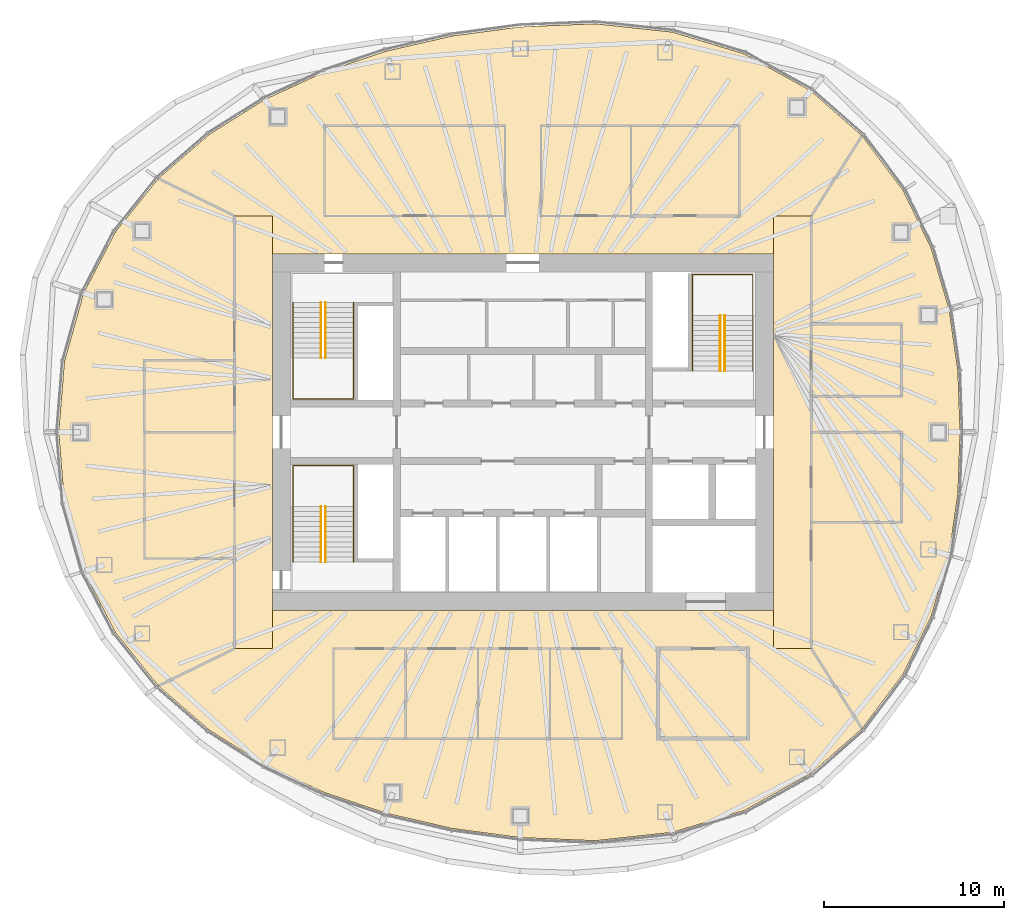
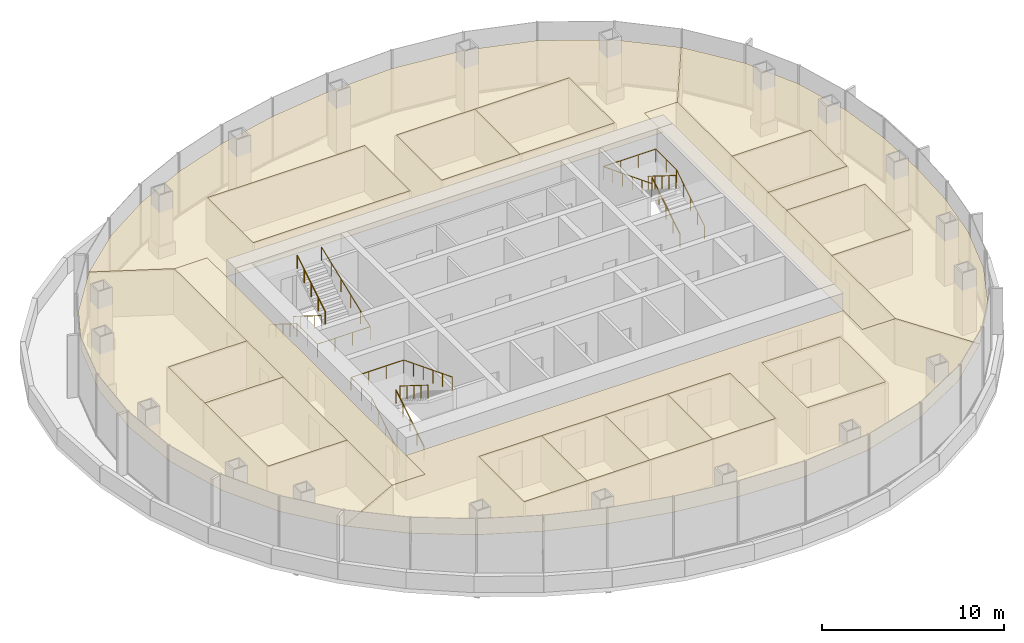
# One storey, part 13 of 13: 18 coverings, 9 railings.
"""IFC4 building model written with IfcOpenShell, lengths in metres."""

from ifc_helpers import new_model, si_unit, direction, frame, origin, origin_2d, place, context, subcontext, project, spatial, polyline, circle, outline, extrude, material, layer, layer_set, type_object, element, save


model = new_model("IFC4")

# Units and contexts
model_context = context("Model", 3, precision=1e-05, world=origin(), true_north=direction((0.0, 1.0)))
body_context = subcontext(model_context, "Body", "Model", "MODEL_VIEW")
ifc_project = project(units=[si_unit("LENGTHUNIT", "METRE"), si_unit("AREAUNIT", "SQUARE_METRE"), si_unit("VOLUMEUNIT", "CUBIC_METRE"), si_unit("PLANEANGLEUNIT", "RADIAN"), si_unit("MASSUNIT", "GRAM", prefix="KILO")], contexts=[model_context])

# Site, building, storey
site_placement = place(None, origin())
site = spatial("IfcSite", under=ifc_project, at=site_placement, CompositionType="ELEMENT")
building_placement = place(site_placement, origin())
building = spatial("IfcBuilding", under=site, at=building_placement, Name="Ghaith Harvest Tower", CompositionType="ELEMENT")
storey_placement = place(building_placement, frame((0.0, 0.0, 271.199951171875)))
storey = spatial("IfcBuildingStorey", under=building, at=storey_placement, Name="L60", CompositionType="ELEMENT", Elevation=271.199951171875)

# Coverings
ifc_material_1 = material(Name="Mineral fibre ceiling tile", Category="gypsum")
ifc_layer = layer(ifc_material_1, 0.02490234375)
ifc_layer_set = layer_set([ifc_layer], Name="CEILING C2")
covering_type = type_object("IfcCoveringType", Name="CEILING C2", PredefinedType="CEILING", material=ifc_layer_set)
covering_1_placement = place(storey_placement, frame((0.0, 0.0, 3.0)))
element("IfcCovering", 1, at=covering_1_placement, inside=storey, type_object=covering_type, Name="Ceiling L60-01", PredefinedType="CEILING", context=body_context, shape_type="SweptSolid", body=[
    extrude(outline(polyline([(-11.0, 12.0), (-1.0, 12.0), (-1.0, 17.0), (-11.0, 17.0), (-11.0, 12.0)])), origin(), (0.0, 0.0, 1.0), 0.025146484375),
])
covering_2_placement = place(storey_placement, frame((0.0, 0.0, 3.0)))
element("IfcCovering", 2, at=covering_2_placement, inside=storey, type_object=covering_type, Name="Ceiling L60-02", PredefinedType="CEILING", context=body_context, shape_type="SweptSolid", body=[
    extrude(outline(polyline([(1.0, 12.0), (6.0, 12.0), (6.0, 17.0), (1.0, 17.0), (1.0, 12.0)])), origin(), (0.0, 0.0, 1.0), 0.025146484375),
])
covering_3_placement = place(storey_placement, frame((0.0, 0.0, 3.0)))
element("IfcCovering", 3, at=covering_3_placement, inside=storey, type_object=covering_type, Name="Ceiling L60-03", PredefinedType="CEILING", context=body_context, shape_type="SweptSolid", body=[
    extrude(outline(polyline([(6.0, 12.0), (12.0, 12.0), (12.0, 17.0), (6.0, 17.0), (6.0, 12.0)])), origin(), (0.0, 0.0, 1.0), 0.025146484375),
])
covering_4_placement = place(storey_placement, frame((0.0, 0.0, 3.0)))
element("IfcCovering", 4, at=covering_4_placement, inside=storey, type_object=covering_type, Name="Ceiling L60-04", PredefinedType="CEILING", context=body_context, shape_type="SweptSolid", body=[
    extrude(outline(polyline([(-10.5, -17.0), (-6.5, -17.0), (-6.5, -12.0), (-10.5, -12.0), (-10.5, -17.0)])), origin(), (0.0, 0.0, 1.0), 0.025146484375),
])
covering_5_placement = place(storey_placement, frame((0.0, 0.0, 3.0)))
element("IfcCovering", 5, at=covering_5_placement, inside=storey, type_object=covering_type, Name="Ceiling L60-05", PredefinedType="CEILING", context=body_context, shape_type="SweptSolid", body=[
    extrude(outline(polyline([(-6.5, -17.0), (-2.5, -17.0), (-2.5, -12.0), (-6.5, -12.0), (-6.5, -17.0)])), origin(), (0.0, 0.0, 1.0), 0.025146484375),
])
covering_6_placement = place(storey_placement, frame((0.0, 0.0, 3.0)))
element("IfcCovering", 6, at=covering_6_placement, inside=storey, type_object=covering_type, Name="Ceiling L60-06", PredefinedType="CEILING", context=body_context, shape_type="SweptSolid", body=[
    extrude(outline(polyline([(-2.5, -17.0), (1.5, -17.0), (1.5, -12.0), (-2.5, -12.0), (-2.5, -17.0)])), origin(), (0.0, 0.0, 1.0), 0.025146484375),
])
covering_7_placement = place(storey_placement, frame((0.0, 0.0, 3.0)))
element("IfcCovering", 7, at=covering_7_placement, inside=storey, type_object=covering_type, Name="Ceiling L60-07", PredefinedType="CEILING", context=body_context, shape_type="SweptSolid", body=[
    extrude(outline(polyline([(1.5, -17.0), (5.5, -17.0), (5.5, -12.0), (1.5, -12.0), (1.5, -17.0)])), origin(), (0.0, 0.0, 1.0), 0.025146484375),
])
covering_8_placement = place(storey_placement, frame((0.0, 0.0, 3.0)))
element("IfcCovering", 8, at=covering_8_placement, inside=storey, type_object=covering_type, Name="Ceiling L60-08", PredefinedType="CEILING", context=body_context, shape_type="SweptSolid", body=[
    extrude(outline(polyline([(7.5, -17.0), (12.5, -17.0), (12.5, -12.0), (7.5, -12.0), (7.5, -17.0)])), origin(), (0.0, 0.0, 1.0), 0.025146484375),
])
covering_9_placement = place(storey_placement, frame((0.0, 0.0, 3.0)))
element("IfcCovering", 9, at=covering_9_placement, inside=storey, type_object=covering_type, Name="Ceiling L60-09", PredefinedType="CEILING", context=body_context, shape_type="SweptSolid", body=[
    extrude(outline(polyline([(-21.0, -7.0), (-16.0, -7.0), (-16.0, 0.0), (-21.0, 0.0), (-21.0, -7.0)])), origin(), (0.0, 0.0, 1.0), 0.025146484375),
])
covering_10_placement = place(storey_placement, frame((0.0, 0.0, 3.0)))
element("IfcCovering", 10, at=covering_10_placement, inside=storey, type_object=covering_type, Name="Ceiling L60-10", PredefinedType="CEILING", context=body_context, shape_type="SweptSolid", body=[
    extrude(outline(polyline([(-21.0, 0.0), (-16.0, 0.0), (-16.0, 4.0), (-21.0, 4.0), (-21.0, 0.0)])), origin(), (0.0, 0.0, 1.0), 0.025146484375),
])
covering_11_placement = place(storey_placement, frame((0.0, 0.0, 3.0)))
element("IfcCovering", 11, at=covering_11_placement, inside=storey, type_object=covering_type, Name="Ceiling L60-11", PredefinedType="CEILING", context=body_context, shape_type="SweptSolid", body=[
    extrude(outline(polyline([(16.0, -5.0), (21.0, -5.0), (21.0, 0.0), (16.0, 0.0), (16.0, -5.0)])), origin(), (0.0, 0.0, 1.0), 0.025146484375),
])
covering_12_placement = place(storey_placement, frame((0.0, 0.0, 3.0)))
element("IfcCovering", 12, at=covering_12_placement, inside=storey, type_object=covering_type, Name="Ceiling L60-12", PredefinedType="CEILING", context=body_context, shape_type="SweptSolid", body=[
    extrude(outline(polyline([(16.0, 2.0), (21.0, 2.0), (21.0, 6.0), (16.0, 6.0), (16.0, 2.0)])), origin(), (0.0, 0.0, 1.0), 0.025146484375),
])
covering_13_placement = place(storey_placement, frame((0.0, 0.0, 3.0)))
element("IfcCovering", 13, at=covering_13_placement, inside=storey, type_object=covering_type, Name="Ceiling L60-C1", PredefinedType="CEILING", context=body_context, shape_type="SweptSolid", body=[
    extrude(outline(polyline([(-13.89990234375, 12.0), (-13.89990234375, -12.0), (-16.0, -12.0), (-16.0, 12.0), (-13.89990234375, 12.0)])), origin(), (0.0, 0.0, 1.0), 0.025146484375),
])
covering_14_placement = place(storey_placement, frame((0.0, 0.0, 3.0)))
element("IfcCovering", 14, at=covering_14_placement, inside=storey, type_object=covering_type, Name="Ceiling L60-C2", PredefinedType="CEILING", context=body_context, shape_type="SweptSolid", body=[
    extrude(outline(polyline([(13.89990234375, -12.0), (13.89990234375, 12.0), (16.0, 12.0), (16.0, -12.0), (13.89990234375, -12.0)])), origin(), (0.0, 0.0, 1.0), 0.025146484375),
])
covering_15_placement = place(storey_placement, frame((0.0, 0.0, 3.0)))
element("IfcCovering", 15, at=covering_15_placement, inside=storey, type_object=covering_type, Name="Ceiling L60-N1", PredefinedType="CEILING", context=body_context, shape_type="SweptSolid", body=[
    extrude(outline(polyline([(-17.40771484375, 16.518310546875), (-14.331298828125, 18.452880859375), (-11.009521484375, 19.98779296875), (-7.6298828125, 21.12548828125), (-3.92529296875, 21.98046875), (-0.15380859375, 22.486083984375), (4.016845703125, 22.658447265625), (8.2978515625, 22.1962890625), (12.273681640625, 20.98828125), (15.971923828125, 18.940185546875), (18.810791015625, 16.4482421875), (16.0, 12.0), (13.89990234375, 12.0), (13.89990234375, 9.89990234375), (-13.89990234375, 9.89990234375), (-13.89990234375, 12.0), (-16.0, 12.0), (-20.225830078125, 14.0732421875), (-17.40771484375, 16.518310546875)]), holes=[polyline([(-1.0, 17.0), (-11.0, 17.0), (-11.0, 12.0), (-1.0, 12.0), (-1.0, 17.0)]), polyline([(12.0, 17.0), (1.0, 17.0), (1.0, 12.0), (12.0, 12.0), (12.0, 17.0)])]), origin(), (0.0, 0.0, 1.0), 0.025146484375),
])
covering_16_placement = place(storey_placement, frame((0.0, 0.0, 3.0)))
element("IfcCovering", 16, at=covering_16_placement, inside=storey, type_object=covering_type, Name="Ceiling L60-E1", PredefinedType="CEILING", context=body_context, shape_type="SweptSolid", body=[
    extrude(outline(polyline([(21.087890625, 13.42041015625), (22.644775390625, 10.222900390625), (23.6376953125, 6.831787109375), (24.129150390625, 3.4169921875), (24.25, 0.0), (24.129150390625, -3.4169921875), (23.6376953125, -6.831787109375), (22.644775390625, -10.222900390625), (21.087890625, -13.42041015625), (18.810791015625, -16.4482421875), (16.0, -12.0), (16.0, -5.0), (21.0, -5.0), (21.0, 0.0), (16.0, 0.0), (16.0, 2.0), (21.0, 2.0), (21.0, 6.0), (16.0, 6.0), (16.0, 12.0), (18.810791015625, 16.4482421875), (21.087890625, 13.42041015625)])), origin(), (0.0, 0.0, 1.0), 0.025146484375),
])
covering_17_placement = place(storey_placement, frame((0.0, 0.0, 3.0)))
element("IfcCovering", 17, at=covering_17_placement, inside=storey, type_object=covering_type, Name="Ceiling L60-S1", PredefinedType="CEILING", context=body_context, shape_type="SweptSolid", body=[
    extrude(outline(polyline([(-17.40771484375, -16.518310546875), (-20.225830078125, -14.0732421875), (-16.0, -12.0), (-13.89990234375, -12.0), (-13.89990234375, -9.89990234375), (13.89990234375, -9.89990234375), (13.89990234375, -12.0), (16.0, -12.0), (18.810791015625, -16.4482421875), (15.971923828125, -18.940185546875), (12.273681640625, -20.98828125), (8.2978515625, -22.1962890625), (4.016845703125, -22.658447265625), (-0.15380859375, -22.486083984375), (-3.92529296875, -21.98046875), (-7.6298828125, -21.12548828125), (-11.009521484375, -19.98779296875), (-14.331298828125, -18.452880859375), (-17.40771484375, -16.518310546875)]), holes=[polyline([(5.5, -12.0), (-10.5, -12.0), (-10.5, -17.0), (5.5, -17.0), (5.5, -12.0)]), polyline([(7.5, -12.0), (7.5, -17.0), (12.5, -17.0), (12.5, -12.0), (7.5, -12.0)])]), origin(), (0.0, 0.0, 1.0), 0.025146484375),
])
covering_18_placement = place(storey_placement, frame((0.0, 0.0, 3.0)))
element("IfcCovering", 18, at=covering_18_placement, inside=storey, type_object=covering_type, Name="Ceiling L60-W1", PredefinedType="CEILING", context=body_context, shape_type="SweptSolid", body=[
    extrude(outline(polyline([(-22.5986328125, -11.12353515625), (-24.368408203125, -7.722900390625), (-25.43310546875, -3.93359375), (-25.75, 0.0), (-25.43310546875, 3.93359375), (-24.368408203125, 7.722900390625), (-22.5986328125, 11.12353515625), (-20.225830078125, 14.0732421875), (-16.0, 12.0), (-16.0, 4.0), (-21.0, 4.0), (-21.0, -7.0), (-16.0, -7.0), (-16.0, -12.0), (-20.225830078125, -14.0732421875), (-22.5986328125, -11.12353515625)])), origin(), (0.0, 0.0, 1.0), 0.025146484375),
])

# Railings
ifc_material_2 = material(Name="Steel, black powder-coated", Category="steel")
railing_type = type_object("IfcRailingType", Name="HANDRAIL HR1", PredefinedType="HANDRAIL", material=ifc_material_2)
railing_1_placement = place(storey_placement, frame((-11.199951171875, 7.199951171875, 0.175048828125)))
element("IfcRailing", 19, at=railing_1_placement, inside=storey, type_object=railing_type, Name="Handrail HR1 stair ST1 L60 flight 1 inner", PredefinedType="HANDRAIL", context=body_context, shape_type="SweptSolid", body=[
    extrude(circle(Radius=0.02392578125, at=origin_2d()), frame((0.0, 0.0, 0.8759765625), z_axis=(0.0, -0.847979421464, 0.530029150871), x_axis=(1.0, 0.0, 0.0)), (0.0, 0.0, 1.0), 3.632080078125),
    extrude(circle(Radius=0.02099609375, at=origin_2d()), origin(), (0.0, 0.0, 1.0), 0.851806640625),
    extrude(circle(Radius=0.02099609375, at=origin_2d()), frame((0.0, -0.77001953125, 0.481201171875)), (0.0, 0.0, 1.0), 0.851806640625),
    extrude(circle(Radius=0.02099609375, at=origin_2d()), frame((0.0, -1.5400390625, 0.96240234375)), (0.0, 0.0, 1.0), 0.851806640625),
    extrude(circle(Radius=0.02099609375, at=origin_2d()), frame((0.0, -2.309814453125, 1.44384765625)), (0.0, 0.0, 1.0), 0.851806640625),
    extrude(circle(Radius=0.02099609375, at=origin_2d()), frame((0.0, -3.079833984375, 1.925048828125)), (0.0, 0.0, 1.0), 0.851806640625),
])
railing_2_placement = place(storey_placement, frame((-10.949951171875, 4.1201171875, 2.275146484375)))
element("IfcRailing", 20, at=railing_2_placement, inside=storey, type_object=railing_type, Name="Handrail HR1 stair ST1 L60 flight 2 inner", PredefinedType="HANDRAIL", context=body_context, shape_type="SweptSolid", body=[
    extrude(circle(Radius=0.02392578125, at=origin_2d()), frame((0.0, 0.0, 0.8759765625), z_axis=(0.0, 0.848009633417, 0.529980812513), x_axis=(-1.0, 0.0, 0.0)), (0.0, 0.0, 1.0), 3.6318359375),
    extrude(circle(Radius=0.02099609375, at=origin_2d()), origin(), (0.0, 0.0, 1.0), 0.851806640625),
    extrude(circle(Radius=0.02099609375, at=origin_2d()), frame((0.0, 0.77001953125, 0.481201171875)), (0.0, 0.0, 1.0), 0.851806640625),
    extrude(circle(Radius=0.02099609375, at=origin_2d()), frame((0.0, 1.5400390625, 0.96240234375)), (0.0, 0.0, 1.0), 0.851806640625),
    extrude(circle(Radius=0.02099609375, at=origin_2d()), frame((0.0, 2.309814453125, 1.443603515625)), (0.0, 0.0, 1.0), 0.851806640625),
    extrude(circle(Radius=0.02099609375, at=origin_2d()), frame((0.0, 3.079833984375, 1.9248046875)), (0.0, 0.0, 1.0), 0.851806640625),
])
railing_3_placement = place(storey_placement, frame((-12.75, 7.199951171875, 0.175048828125)))
element("IfcRailing", 21, at=railing_3_placement, inside=storey, type_object=railing_type, Name="Handrail HR1 stair ST1 L60 wall side", PredefinedType="HANDRAIL", context=body_context, shape_type="SweptSolid", body=[
    extrude(circle(Radius=0.02392578125, at=origin_2d()), frame((0.0, 0.0, 0.8759765625), z_axis=(0.0, -0.847979421464, 0.530029150871), x_axis=(1.0, 0.0, 0.0)), (0.0, 0.0, 1.0), 3.632080078125),
    extrude(circle(Radius=0.02392578125, at=origin_2d()), frame((0.0, -3.079833984375, 2.80078125), z_axis=(0.0, -1.0, 0.0), x_axis=(1.0, 0.0, 0.0)), (0.0, 0.0, 1.0), 2.27001953125),
    extrude(circle(Radius=0.02392578125, at=origin_2d()), frame((0.0, -5.349853515625, 2.80078125), z_axis=(1.0, 0.0, 0.0), x_axis=(0.0, 1.0, 0.0)), (0.0, 0.0, 1.0), 3.35009765625),
    extrude(circle(Radius=0.02392578125, at=origin_2d()), frame((3.35009765625, -5.349853515625, 2.80078125), z_axis=(0.0, 0.930862461605, 0.365369781968), x_axis=(-1.0, 0.0, 0.0)), (0.0, 0.0, 1.0), 5.747314453125),
    extrude(circle(Radius=0.02099609375, at=origin_2d()), origin(), (0.0, 0.0, 1.0), 0.851806640625),
    extrude(circle(Radius=0.02099609375, at=origin_2d()), frame((0.0, -0.77001953125, 0.481201171875)), (0.0, 0.0, 1.0), 0.851806640625),
    extrude(circle(Radius=0.02099609375, at=origin_2d()), frame((0.0, -1.5400390625, 0.96240234375)), (0.0, 0.0, 1.0), 0.851806640625),
    extrude(circle(Radius=0.02099609375, at=origin_2d()), frame((0.0, -2.309814453125, 1.44384765625)), (0.0, 0.0, 1.0), 0.851806640625),
    extrude(circle(Radius=0.02099609375, at=origin_2d()), frame((0.0, -3.079833984375, 1.925048828125)), (0.0, 0.0, 1.0), 0.851806640625),
    extrude(circle(Radius=0.02099609375, at=origin_2d()), frame((0.0, -4.21484375, 1.925048828125)), (0.0, 0.0, 1.0), 0.851806640625),
    extrude(circle(Radius=0.02099609375, at=origin_2d()), frame((0.0, -5.349853515625, 1.925048828125)), (0.0, 0.0, 1.0), 0.851806640625),
    extrude(circle(Radius=0.02099609375, at=origin_2d()), frame((1.11669921875, -5.349853515625, 1.925048828125)), (0.0, 0.0, 1.0), 0.851806640625),
    extrude(circle(Radius=0.02099609375, at=origin_2d()), frame((2.2333984375, -5.349853515625, 1.925048828125)), (0.0, 0.0, 1.0), 0.851806640625),
    extrude(circle(Radius=0.02099609375, at=origin_2d()), frame((3.35009765625, -5.349853515625, 1.925048828125)), (0.0, 0.0, 1.0), 0.851806640625),
    extrude(circle(Radius=0.02099609375, at=origin_2d()), frame((3.35009765625, -4.27978515625, 2.344970703125)), (0.0, 0.0, 1.0), 0.851806640625),
    extrude(circle(Radius=0.02099609375, at=origin_2d()), frame((3.35009765625, -3.2099609375, 2.764892578125)), (0.0, 0.0, 1.0), 0.851806640625),
    extrude(circle(Radius=0.02099609375, at=origin_2d()), frame((3.35009765625, -2.139892578125, 3.18505859375)), (0.0, 0.0, 1.0), 0.851806640625),
    extrude(circle(Radius=0.02099609375, at=origin_2d()), frame((3.35009765625, -1.070068359375, 3.60498046875)), (0.0, 0.0, 1.0), 0.851806640625),
    extrude(circle(Radius=0.02099609375, at=origin_2d()), frame((3.35009765625, 0.0, 4.02490234375)), (0.0, 0.0, 1.0), 0.851806640625),
])
railing_4_placement = place(storey_placement, frame((-11.199951171875, -7.199951171875, 0.175048828125)))
element("IfcRailing", 22, at=railing_4_placement, inside=storey, type_object=railing_type, Name="Handrail HR1 stair ST3 L60 flight 1 inner", PredefinedType="HANDRAIL", context=body_context, shape_type="SweptSolid", body=[
    extrude(circle(Radius=0.02392578125, at=origin_2d()), frame((0.0, 0.0, 0.8759765625), z_axis=(0.0, 0.847979421464, 0.530029150871), x_axis=(-1.0, 0.0, 0.0)), (0.0, 0.0, 1.0), 3.632080078125),
    extrude(circle(Radius=0.02099609375, at=origin_2d()), origin(), (0.0, 0.0, 1.0), 0.851806640625),
    extrude(circle(Radius=0.02099609375, at=origin_2d()), frame((0.0, 0.77001953125, 0.481201171875)), (0.0, 0.0, 1.0), 0.851806640625),
    extrude(circle(Radius=0.02099609375, at=origin_2d()), frame((0.0, 1.5400390625, 0.96240234375)), (0.0, 0.0, 1.0), 0.851806640625),
    extrude(circle(Radius=0.02099609375, at=origin_2d()), frame((0.0, 2.309814453125, 1.44384765625)), (0.0, 0.0, 1.0), 0.851806640625),
    extrude(circle(Radius=0.02099609375, at=origin_2d()), frame((0.0, 3.079833984375, 1.925048828125)), (0.0, 0.0, 1.0), 0.851806640625),
])
railing_5_placement = place(storey_placement, frame((-10.949951171875, -4.1201171875, 2.275146484375)))
element("IfcRailing", 23, at=railing_5_placement, inside=storey, type_object=railing_type, Name="Handrail HR1 stair ST3 L60 flight 2 inner", PredefinedType="HANDRAIL", context=body_context, shape_type="SweptSolid", body=[
    extrude(circle(Radius=0.02392578125, at=origin_2d()), frame((0.0, 0.0, 0.8759765625), z_axis=(0.0, -0.848009633417, 0.529980812513), x_axis=(1.0, 0.0, 0.0)), (0.0, 0.0, 1.0), 3.6318359375),
    extrude(circle(Radius=0.02099609375, at=origin_2d()), origin(), (0.0, 0.0, 1.0), 0.851806640625),
    extrude(circle(Radius=0.02099609375, at=origin_2d()), frame((0.0, -0.77001953125, 0.481201171875)), (0.0, 0.0, 1.0), 0.851806640625),
    extrude(circle(Radius=0.02099609375, at=origin_2d()), frame((0.0, -1.5400390625, 0.96240234375)), (0.0, 0.0, 1.0), 0.851806640625),
    extrude(circle(Radius=0.02099609375, at=origin_2d()), frame((0.0, -2.309814453125, 1.443603515625)), (0.0, 0.0, 1.0), 0.851806640625),
    extrude(circle(Radius=0.02099609375, at=origin_2d()), frame((0.0, -3.079833984375, 1.9248046875)), (0.0, 0.0, 1.0), 0.851806640625),
])
railing_6_placement = place(storey_placement, frame((-12.75, -7.199951171875, 0.175048828125)))
element("IfcRailing", 24, at=railing_6_placement, inside=storey, type_object=railing_type, Name="Handrail HR1 stair ST3 L60 wall side", PredefinedType="HANDRAIL", context=body_context, shape_type="SweptSolid", body=[
    extrude(circle(Radius=0.02392578125, at=origin_2d()), frame((0.0, 0.0, 0.8759765625), z_axis=(0.0, 0.847979421464, 0.530029150871), x_axis=(-1.0, 0.0, 0.0)), (0.0, 0.0, 1.0), 3.632080078125),
    extrude(circle(Radius=0.02392578125, at=origin_2d()), frame((0.0, 3.079833984375, 2.80078125), z_axis=(0.0, 1.0, 0.0), x_axis=(-1.0, 0.0, 0.0)), (0.0, 0.0, 1.0), 2.27001953125),
    extrude(circle(Radius=0.02392578125, at=origin_2d()), frame((0.0, 5.349853515625, 2.80078125), z_axis=(1.0, 0.0, 0.0), x_axis=(0.0, 1.0, 0.0)), (0.0, 0.0, 1.0), 3.35009765625),
    extrude(circle(Radius=0.02392578125, at=origin_2d()), frame((3.35009765625, 5.349853515625, 2.80078125), z_axis=(0.0, -0.930862461605, 0.365369781968), x_axis=(1.0, 0.0, 0.0)), (0.0, 0.0, 1.0), 5.747314453125),
    extrude(circle(Radius=0.02099609375, at=origin_2d()), origin(), (0.0, 0.0, 1.0), 0.851806640625),
    extrude(circle(Radius=0.02099609375, at=origin_2d()), frame((0.0, 0.77001953125, 0.481201171875)), (0.0, 0.0, 1.0), 0.851806640625),
    extrude(circle(Radius=0.02099609375, at=origin_2d()), frame((0.0, 1.5400390625, 0.96240234375)), (0.0, 0.0, 1.0), 0.851806640625),
    extrude(circle(Radius=0.02099609375, at=origin_2d()), frame((0.0, 2.309814453125, 1.44384765625)), (0.0, 0.0, 1.0), 0.851806640625),
    extrude(circle(Radius=0.02099609375, at=origin_2d()), frame((0.0, 3.079833984375, 1.925048828125)), (0.0, 0.0, 1.0), 0.851806640625),
    extrude(circle(Radius=0.02099609375, at=origin_2d()), frame((0.0, 4.21484375, 1.925048828125)), (0.0, 0.0, 1.0), 0.851806640625),
    extrude(circle(Radius=0.02099609375, at=origin_2d()), frame((0.0, 5.349853515625, 1.925048828125)), (0.0, 0.0, 1.0), 0.851806640625),
    extrude(circle(Radius=0.02099609375, at=origin_2d()), frame((1.11669921875, 5.349853515625, 1.925048828125)), (0.0, 0.0, 1.0), 0.851806640625),
    extrude(circle(Radius=0.02099609375, at=origin_2d()), frame((2.2333984375, 5.349853515625, 1.925048828125)), (0.0, 0.0, 1.0), 0.851806640625),
    extrude(circle(Radius=0.02099609375, at=origin_2d()), frame((3.35009765625, 5.349853515625, 1.925048828125)), (0.0, 0.0, 1.0), 0.851806640625),
    extrude(circle(Radius=0.02099609375, at=origin_2d()), frame((3.35009765625, 4.27978515625, 2.344970703125)), (0.0, 0.0, 1.0), 0.851806640625),
    extrude(circle(Radius=0.02099609375, at=origin_2d()), frame((3.35009765625, 3.2099609375, 2.764892578125)), (0.0, 0.0, 1.0), 0.851806640625),
    extrude(circle(Radius=0.02099609375, at=origin_2d()), frame((3.35009765625, 2.139892578125, 3.18505859375)), (0.0, 0.0, 1.0), 0.851806640625),
    extrude(circle(Radius=0.02099609375, at=origin_2d()), frame((3.35009765625, 1.070068359375, 3.60498046875)), (0.0, 0.0, 1.0), 0.851806640625),
    extrude(circle(Radius=0.02099609375, at=origin_2d()), frame((3.35009765625, 0.0, 4.02490234375)), (0.0, 0.0, 1.0), 0.851806640625),
])
railing_7_placement = place(storey_placement, frame((11.199951171875, 3.39990234375, 0.175048828125)))
element("IfcRailing", 25, at=railing_7_placement, inside=storey, type_object=railing_type, Name="Handrail HR1 stair ST2 L60 flight 1 inner", PredefinedType="HANDRAIL", context=body_context, shape_type="SweptSolid", body=[
    extrude(circle(Radius=0.02392578125, at=origin_2d()), frame((0.0, 0.0, 0.8759765625), z_axis=(0.0, 0.847998304005, 0.529998940003), x_axis=(-1.0, 0.0, 0.0)), (0.0, 0.0, 1.0), 3.632080078125),
    extrude(circle(Radius=0.02099609375, at=origin_2d()), origin(), (0.0, 0.0, 1.0), 0.851806640625),
    extrude(circle(Radius=0.02099609375, at=origin_2d()), frame((0.0, 0.77001953125, 0.481201171875)), (0.0, 0.0, 1.0), 0.851806640625),
    extrude(circle(Radius=0.02099609375, at=origin_2d()), frame((0.0, 1.5400390625, 0.96240234375)), (0.0, 0.0, 1.0), 0.851806640625),
    extrude(circle(Radius=0.02099609375, at=origin_2d()), frame((0.0, 2.31005859375, 1.44384765625)), (0.0, 0.0, 1.0), 0.851806640625),
    extrude(circle(Radius=0.02099609375, at=origin_2d()), frame((0.0, 3.080078125, 1.925048828125)), (0.0, 0.0, 1.0), 0.851806640625),
])
railing_8_placement = place(storey_placement, frame((10.949951171875, 6.47998046875, 2.275146484375)))
element("IfcRailing", 26, at=railing_8_placement, inside=storey, type_object=railing_type, Name="Handrail HR1 stair ST2 L60 flight 2 inner", PredefinedType="HANDRAIL", context=body_context, shape_type="SweptSolid", body=[
    extrude(circle(Radius=0.02392578125, at=origin_2d()), frame((0.0, 0.0, 0.8759765625), z_axis=(0.0, -0.848028513186, 0.529950602248), x_axis=(1.0, 0.0, 0.0)), (0.0, 0.0, 1.0), 3.632080078125),
    extrude(circle(Radius=0.02099609375, at=origin_2d()), origin(), (0.0, 0.0, 1.0), 0.851806640625),
    extrude(circle(Radius=0.02099609375, at=origin_2d()), frame((0.0, -0.77001953125, 0.481201171875)), (0.0, 0.0, 1.0), 0.851806640625),
    extrude(circle(Radius=0.02099609375, at=origin_2d()), frame((0.0, -1.5400390625, 0.96240234375)), (0.0, 0.0, 1.0), 0.851806640625),
    extrude(circle(Radius=0.02099609375, at=origin_2d()), frame((0.0, -2.31005859375, 1.443603515625)), (0.0, 0.0, 1.0), 0.851806640625),
    extrude(circle(Radius=0.02099609375, at=origin_2d()), frame((0.0, -3.080078125, 1.9248046875)), (0.0, 0.0, 1.0), 0.851806640625),
])
railing_9_placement = place(storey_placement, frame((12.75, 3.39990234375, 0.175048828125)))
element("IfcRailing", 27, at=railing_9_placement, inside=storey, type_object=railing_type, Name="Handrail HR1 stair ST2 L60 wall side", PredefinedType="HANDRAIL", context=body_context, shape_type="SweptSolid", body=[
    extrude(circle(Radius=0.02392578125, at=origin_2d()), frame((0.0, 0.0, 0.8759765625), z_axis=(0.0, 0.847998304005, 0.529998940003), x_axis=(-1.0, 0.0, 0.0)), (0.0, 0.0, 1.0), 3.632080078125),
    extrude(circle(Radius=0.02392578125, at=origin_2d()), frame((0.0, 3.080078125, 2.80078125), z_axis=(0.0, 1.0, 0.0), x_axis=(-1.0, 0.0, 0.0)), (0.0, 0.0, 1.0), 2.27001953125),
    extrude(circle(Radius=0.02392578125, at=origin_2d()), frame((0.0, 5.35009765625, 2.80078125), z_axis=(-1.0, 0.0, 0.0), x_axis=(0.0, -1.0, 0.0)), (0.0, 0.0, 1.0), 3.35009765625),
    extrude(circle(Radius=0.02392578125, at=origin_2d()), frame((-3.35009765625, 5.35009765625, 2.80078125), z_axis=(0.0, -0.930868132128, 0.365355334692), x_axis=(1.0, 0.0, 0.0)), (0.0, 0.0, 1.0), 5.747314453125),
    extrude(circle(Radius=0.02099609375, at=origin_2d()), origin(), (0.0, 0.0, 1.0), 0.851806640625),
    extrude(circle(Radius=0.02099609375, at=origin_2d()), frame((0.0, 0.77001953125, 0.481201171875)), (0.0, 0.0, 1.0), 0.851806640625),
    extrude(circle(Radius=0.02099609375, at=origin_2d()), frame((0.0, 1.5400390625, 0.96240234375)), (0.0, 0.0, 1.0), 0.851806640625),
    extrude(circle(Radius=0.02099609375, at=origin_2d()), frame((0.0, 2.31005859375, 1.44384765625)), (0.0, 0.0, 1.0), 0.851806640625),
    extrude(circle(Radius=0.02099609375, at=origin_2d()), frame((0.0, 3.080078125, 1.925048828125)), (0.0, 0.0, 1.0), 0.851806640625),
    extrude(circle(Radius=0.02099609375, at=origin_2d()), frame((0.0, 4.215087890625, 1.925048828125)), (0.0, 0.0, 1.0), 0.851806640625),
    extrude(circle(Radius=0.02099609375, at=origin_2d()), frame((0.0, 5.35009765625, 1.925048828125)), (0.0, 0.0, 1.0), 0.851806640625),
    extrude(circle(Radius=0.02099609375, at=origin_2d()), frame((-1.11669921875, 5.35009765625, 1.925048828125)), (0.0, 0.0, 1.0), 0.851806640625),
    extrude(circle(Radius=0.02099609375, at=origin_2d()), frame((-2.2333984375, 5.35009765625, 1.925048828125)), (0.0, 0.0, 1.0), 0.851806640625),
    extrude(circle(Radius=0.02099609375, at=origin_2d()), frame((-3.35009765625, 5.35009765625, 1.925048828125)), (0.0, 0.0, 1.0), 0.851806640625),
    extrude(circle(Radius=0.02099609375, at=origin_2d()), frame((-3.35009765625, 4.280029296875, 2.344970703125)), (0.0, 0.0, 1.0), 0.851806640625),
    extrude(circle(Radius=0.02099609375, at=origin_2d()), frame((-3.35009765625, 3.2099609375, 2.764892578125)), (0.0, 0.0, 1.0), 0.851806640625),
    extrude(circle(Radius=0.02099609375, at=origin_2d()), frame((-3.35009765625, 2.14013671875, 3.18505859375)), (0.0, 0.0, 1.0), 0.851806640625),
    extrude(circle(Radius=0.02099609375, at=origin_2d()), frame((-3.35009765625, 1.070068359375, 3.60498046875)), (0.0, 0.0, 1.0), 0.851806640625),
    extrude(circle(Radius=0.02099609375, at=origin_2d()), frame((-3.35009765625, 0.0, 4.02490234375)), (0.0, 0.0, 1.0), 0.851806640625),
])

save(model, "model.ifc")
